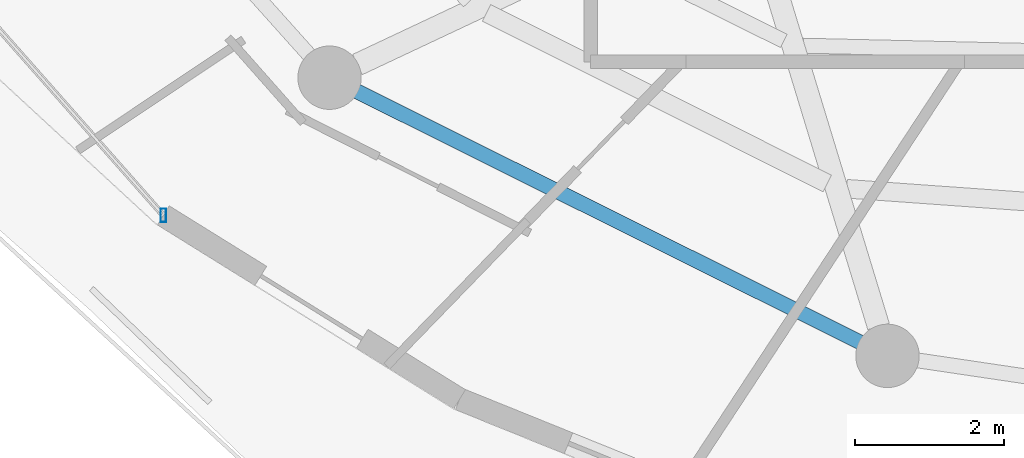
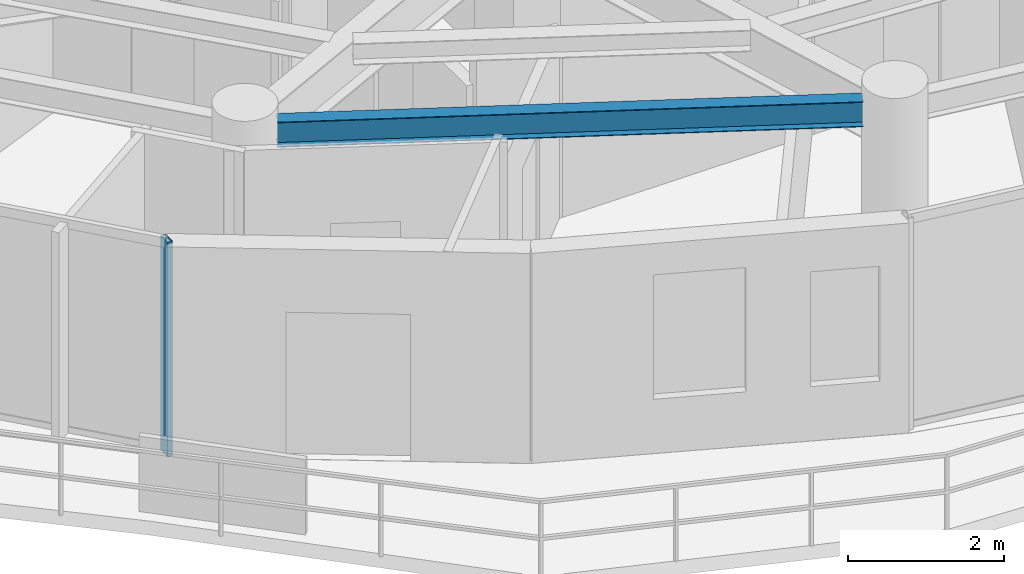
# One storey, part 2 of 31: 1 beam, 1 member, 1 element without a shape of its own.
"""IFC4 building model written with IfcOpenShell, lengths in metres."""

from ifc_helpers import new_model, si_unit, direction, frame, origin, origin_2d, place, context, subcontext, project, spatial, hollow_rectangle, i_section, extrude, material, material_profile, profile_set, type_object, element, aggregate, save


model = new_model("IFC4")

# Units and contexts
model_context = context("Model", 3, precision=1e-05, world=origin(), true_north=direction((0.0, 1.0)))
body_context = subcontext(model_context, "Body", "Model", "MODEL_VIEW")
ifc_project = project(units=[si_unit("LENGTHUNIT", "METRE"), si_unit("AREAUNIT", "SQUARE_METRE"), si_unit("VOLUMEUNIT", "CUBIC_METRE"), si_unit("PLANEANGLEUNIT", "RADIAN"), si_unit("MASSUNIT", "GRAM", prefix="KILO")], contexts=[model_context])

# Site, building, storey
site_placement = place(None, origin())
site = spatial("IfcSite", under=ifc_project, at=site_placement, CompositionType="ELEMENT")
building_placement = place(site_placement, origin())
building = spatial("IfcBuilding", under=site, at=building_placement, Name="Vorneva Point Tower", CompositionType="ELEMENT")
storey_placement = place(building_placement, frame((0.0, 0.0, 266.199951171875)))
storey = spatial("IfcBuildingStorey", under=building, at=storey_placement, Name="L72", CompositionType="ELEMENT", Elevation=266.199951171875)

# Beam
ifc_material_1 = material(Name="Steel S355", Category="steel")
ifc_material_profile_1 = material_profile(ifc_material_1, i_section(OverallWidth=0.198974609375, OverallDepth=0.39599609375, WebThickness=0.007080078125, FlangeThickness=0.010986328125, at=origin_2d()), Name="40B1")
ifc_profile_set_1 = profile_set([ifc_material_profile_1], Name="Steel S355")
beam_type = type_object("IfcBeamType", Name="BM-SPN-40B1", PredefinedType="SPANDREL", material=ifc_profile_set_1)
beam_placement = place(storey_placement, frame((22.068115234375, 13.65478515625, 3.092041015625), z_axis=(0.894932011528, -0.446202526599, 0.0), x_axis=(0.446202526599, 0.894932011528, 0.0)))
element("IfcBeam", 1, at=beam_placement, inside=storey, type_object=beam_type, Name="L72 Perimeter Spandrel Ring Beam 11", PredefinedType="SPANDREL", context=body_context, shape_type="SweptSolid", body=[
    extrude(i_section(OverallWidth=0.198974609375, OverallDepth=0.39599609375, WebThickness=0.007080078125, FlangeThickness=0.010986328125, at=origin_2d()), origin(), (0.0, 0.0, 1.0), 7.535888671875),
])

# Curtain wall, member
ifc_material_2 = material(Name="Pale anodised aluminium", Category="aluminium")
curtain_wall_type = type_object("IfcCurtainWallType", Name="CW-RES-SYS", PredefinedType="NOTDEFINED", material=ifc_material_2)
curtain_wall_placement = place(storey_placement, origin())
curtain_wall = element("IfcCurtainWall", 2, at=curtain_wall_placement, inside=storey, type_object=curtain_wall_type, Name="L72 Unitised Curtain Wall CW-L72-R03", PredefinedType="NOTDEFINED")
ifc_material_profile_2 = material_profile(ifc_material_2, hollow_rectangle(XDim=0.074951171875, YDim=0.179931640625, WallThickness=0.00390625, at=origin_2d()), Name="AL-MUL 180x75x4")
ifc_profile_set_2 = profile_set([ifc_material_profile_2], Name="Pale anodised aluminium")
member_type = type_object("IfcMemberType", Name="CW-MUL-180", PredefinedType="MULLION", material=ifc_profile_set_2)
member_placement = place(storey_placement, frame((19.473876953125, 11.9921875, -0.0400390625), z_axis=(0.0, 0.0, 1.0), x_axis=(1.0, 0.0, 0.0)))
member = element("IfcMember", 3, at=member_placement, type_object=member_type, Name="CW-L72-R03 Mullion 05", PredefinedType="MULLION", context=body_context, shape_type="SweptSolid", body=[
    extrude(hollow_rectangle(XDim=0.074951171875, YDim=0.179931640625, WallThickness=0.00390625, at=origin_2d()), origin(), (0.0, 0.0, 1.0), 3.360107421875),
])
aggregate(curtain_wall, [member])

save(model, "model.ifc")
